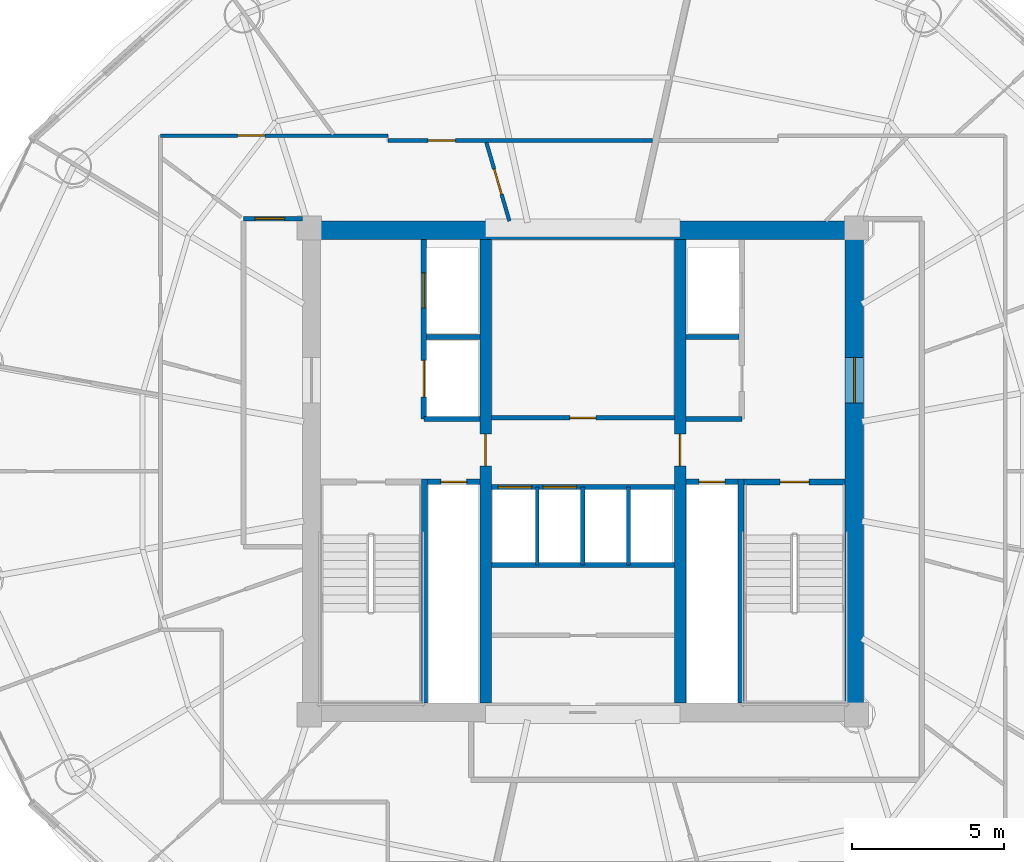
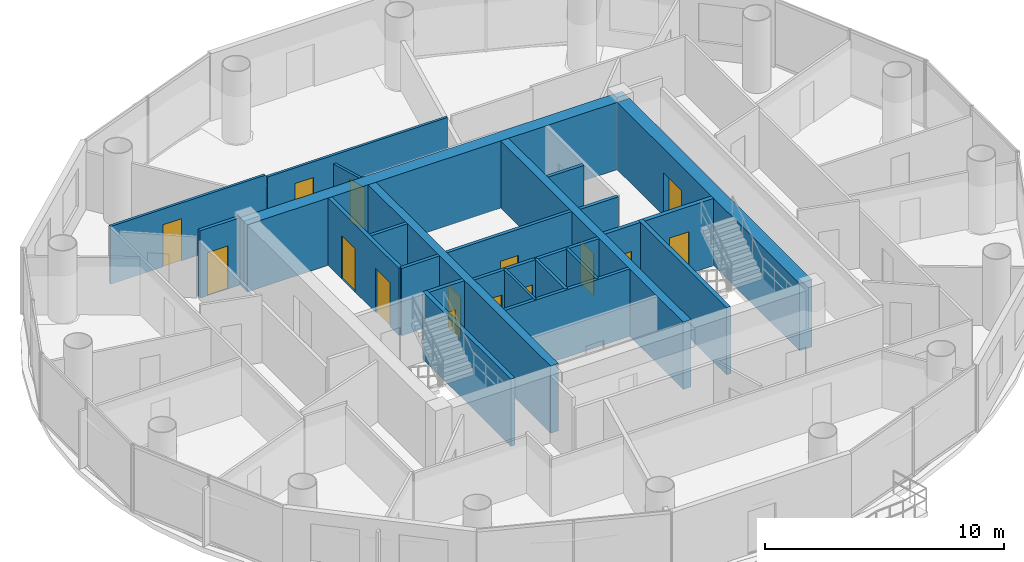
# One storey, part 21 of 26: 24 walls, 15 doors, 15 openings.
"""IFC4 building model written with IfcOpenShell, lengths in metres."""

from ifc_helpers import new_model, si_unit, direction, frame, frame_2d, origin, place, context, subcontext, project, spatial, rectangle, extrude, source, transform, mapped, material, layer, layer_set, type_object, element, fill, save


model = new_model("IFC4")

# Units and contexts
model_context = context("Model", 3, precision=1e-05, world=origin(), true_north=direction((-0.2419218956, 0.970295726276)))
body_context = subcontext(model_context, "Body", "Model", "MODEL_VIEW")
ifc_project = project(units=[si_unit("LENGTHUNIT", "METRE"), si_unit("AREAUNIT", "SQUARE_METRE"), si_unit("VOLUMEUNIT", "CUBIC_METRE"), si_unit("PLANEANGLEUNIT", "RADIAN"), si_unit("MASSUNIT", "GRAM", prefix="KILO")], contexts=[model_context])

# Site, building, storey
site_placement = place(None, origin())
site = spatial("IfcSite", under=ifc_project, at=site_placement, CompositionType="ELEMENT")
building_placement = place(site_placement, origin())
building = spatial("IfcBuilding", under=site, at=building_placement, Name="Cobrevalo Terracotta Tower", CompositionType="ELEMENT")
storey_placement = place(building_placement, frame((0.0, 0.0, 228.199951171875)))
storey = spatial("IfcBuildingStorey", under=building, at=storey_placement, Name="L60", CompositionType="ELEMENT", Elevation=228.199951171875)

# Wall
ifc_material_1 = material(Name="Concrete C55", Category="concrete")
ifc_layer_1 = layer(ifc_material_1, 0.60009765625)
ifc_layer_set_1 = layer_set([ifc_layer_1], Name="Concrete C55")
wall_type_1 = type_object("IfcWallType", Name="Core shear wall 600 mm Concrete C55", PredefinedType="SHEAR", material=ifc_layer_set_1)
wall_1_placement = place(storey_placement, frame((28.77490234375, 34.72509765625, 0.0), z_axis=(0.0, 0.0, 1.0), x_axis=(1.0, 0.0, 0.0)))
element("IfcWall", 1, at=wall_1_placement, inside=storey, type_object=wall_type_1, Name="L60 north core shear wall", PredefinedType="SHEAR", context=body_context, shape_type="SweptSolid", body=[
    extrude(rectangle(XDim=18.4501953125, YDim=0.60009765625, at=frame_2d((9.22509765625, 0.0))), origin(), (0.0, 0.0, 1.0), 3.43505859375),
])

# Wall, opening, door
wall_2_placement = place(storey_placement, frame((46.925048828125, 19.175048828125, 0.0), z_axis=(0.0, 0.0, 1.0), x_axis=(0.0, 1.0, 0.0)))
wall_2 = element("IfcWall", 2, at=wall_2_placement, inside=storey, type_object=wall_type_1, Name="L60 east core shear wall", PredefinedType="SHEAR", context=body_context, shape_type="SweptSolid", body=[
    extrude(rectangle(XDim=15.25, YDim=0.60009765625, at=frame_2d((7.625, 0.0))), origin(), (0.0, 0.0, 1.0), 3.43505859375),
])
opening_1_placement = place(wall_2_placement, frame((9.875, 0.0, 0.0)))
opening_1 = element("IfcOpeningElement", 3, at=opening_1_placement, cuts=wall_2, Name="Opening ID-14", PredefinedType="OPENING", context=body_context, shape_type="SweptSolid", body=[
    extrude(rectangle(XDim=1.5, YDim=2.199951171875, at=frame_2d((0.75, 1.10009765625))), frame((0.0, 0.31005859375, 0.0), z_axis=(0.0, -1.0, 0.0), x_axis=(1.0, 0.0, 0.0)), (0.0, 0.0, 1.0), 0.6201171875),
])
ifc_material_2 = material(Name="Galvanized fire-rated steel", Category="steel")
door_type_1 = type_object("IfcDoorType", Name="Core cross-lobby double fire door 1500x2200 EI 90", OperationType="NOTDEFINED", PredefinedType="DOOR", material=ifc_material_2)
shared_shape_1 = source(origin(), body_context, "Body", "SweptSolid", [
    extrude(rectangle(XDim=1.5, YDim=2.199951171875, at=frame_2d((0.75, 1.10009765625))), frame((0.0, 0.02490234375, 0.0), z_axis=(0.0, -1.0, 0.0), x_axis=(1.0, 0.0, 0.0)), (0.0, 0.0, 1.0), 0.050048828125),
])
door_1_placement = place(opening_1_placement, frame((1.5, 0.0, 0.0), z_axis=(0.0, 0.0, 1.0), x_axis=(-1.0, 0.0, 0.0)))
door_1 = element("IfcDoor", 4, at=door_1_placement, inside=storey, type_object=door_type_1, Name="L60 east firefighting lobby entrance door", OperationType="DOUBLE_DOOR_SINGLE_SWING", OverallHeight=2.199951171875, OverallWidth=1.5, PredefinedType="DOOR", context=body_context, shape_type="MappedRepresentation", body=[
    mapped(shared_shape_1, transform((0.0, 0.0, 0.0), scale=1.0)),
])
fill(opening_1, door_1)

# Walls
ifc_material_3 = material(Name="Gypsum board on steel stud", Category="steel")
ifc_layer_2 = layer(ifc_material_3, 0.159912109375)
ifc_layer_set_2 = layer_set([ifc_layer_2], Name="Gypsum board on steel stud")
wall_type_2 = type_object("IfcWallType", Name="Fire-rated corridor acoustic partition wall 160 mm", PredefinedType="PARTITIONING", material=ifc_layer_set_2)
wall_3_placement = place(storey_placement, frame((32.860107421875, 31.219970703125, 0.0), z_axis=(0.0, 0.0, 1.0), x_axis=(1.0, 0.0, 0.0)))
element("IfcWall", 5, at=wall_3_placement, inside=storey, type_object=wall_type_2, Name="L60 interior partition IW-L60-FF1-M", PredefinedType="PARTITIONING", context=body_context, shape_type="SweptSolid", body=[
    extrude(rectangle(XDim=1.75, YDim=0.159912109375, at=frame_2d((0.875, 0.0))), origin(), (0.0, 0.0, 1.0), 3.43505859375),
])
wall_4_placement = place(storey_placement, frame((32.77001953125, 28.52001953125, 0.0), z_axis=(0.0, 0.0, 1.0), x_axis=(1.0, 0.0, 0.0)))
element("IfcWall", 6, at=wall_4_placement, inside=storey, type_object=wall_type_2, Name="L60 interior partition IW-L60-FF1-S", PredefinedType="PARTITIONING", context=body_context, shape_type="SweptSolid", body=[
    extrude(rectangle(XDim=1.840087890625, YDim=0.159912109375, at=frame_2d((0.919921875, 0.0))), origin(), (0.0, 0.0, 1.0), 3.43505859375),
])
wall_5_placement = place(storey_placement, frame((41.389892578125, 31.219970703125, 0.0), z_axis=(0.0, 0.0, 1.0), x_axis=(1.0, 0.0, 0.0)))
element("IfcWall", 7, at=wall_5_placement, inside=storey, type_object=wall_type_2, Name="L60 interior partition IW-L60-FF2-M", PredefinedType="PARTITIONING", context=body_context, shape_type="SweptSolid", body=[
    extrude(rectangle(XDim=1.75, YDim=0.159912109375, at=frame_2d((0.875, 0.0))), origin(), (0.0, 0.0, 1.0), 3.43505859375),
])
wall_6_placement = place(storey_placement, frame((41.389892578125, 28.52001953125, 0.0), z_axis=(0.0, 0.0, 1.0), x_axis=(1.0, 0.0, 0.0)))
element("IfcWall", 8, at=wall_6_placement, inside=storey, type_object=wall_type_2, Name="L60 interior partition IW-L60-FF2-S", PredefinedType="PARTITIONING", context=body_context, shape_type="SweptSolid", body=[
    extrude(rectangle(XDim=1.840087890625, YDim=0.159912109375, at=frame_2d((0.919921875, 0.0))), origin(), (0.0, 0.0, 1.0), 3.43505859375),
])

# Wall, opening, door
wall_7_placement = place(storey_placement, frame((34.989990234375, 28.56005859375, 0.0), z_axis=(0.0, 0.0, 1.0), x_axis=(1.0, 0.0, 0.0)))
wall_7 = element("IfcWall", 9, at=wall_7_placement, inside=storey, type_object=wall_type_2, Name="L60 interior partition IW-L60-LB-S", PredefinedType="PARTITIONING", context=body_context, shape_type="SweptSolid", body=[
    extrude(rectangle(XDim=6.02001953125, YDim=0.159912109375, at=frame_2d((3.010009765625, 0.0))), origin(), (0.0, 0.0, 1.0), 3.43505859375),
])
opening_2_placement = place(wall_7_placement, frame((2.5849609375, 0.0, 0.0)))
opening_2 = element("IfcOpeningElement", 10, at=opening_2_placement, cuts=wall_7, Name="Opening ID-22", PredefinedType="OPENING", context=body_context, shape_type="SweptSolid", body=[
    extrude(rectangle(XDim=0.85009765625, YDim=2.10009765625, at=frame_2d((0.425048828125, 1.050048828125))), frame((0.0, 0.08984375, 0.0), z_axis=(0.0, -1.0, 0.0), x_axis=(1.0, 0.0, 0.0)), (0.0, 0.0, 1.0), 0.179931640625),
])
ifc_material_4 = material(Name="Powder-coated steel", Category="steel")
door_type_2 = type_object("IfcDoorType", Name="Riser shaft & meter closet fire access door 850x2100 EI 60", OperationType="NOTDEFINED", PredefinedType="DOOR", material=ifc_material_4)
shared_shape_2 = source(origin(), body_context, "Body", "SweptSolid", [
    extrude(rectangle(XDim=0.85009765625, YDim=2.10009765625, at=frame_2d((0.425048828125, 1.050048828125))), frame((0.0, 0.02490234375, 0.0), z_axis=(0.0, -1.0, 0.0), x_axis=(1.0, 0.0, 0.0)), (0.0, 0.0, 1.0), 0.050048828125),
])
door_2_placement = place(opening_2_placement, origin())
door_2 = element("IfcDoor", 11, at=door_2_placement, inside=storey, type_object=door_type_2, Name="L60 core service door Floor Electrical Switchroom", OperationType="SINGLE_SWING_LEFT", OverallHeight=2.10009765625, OverallWidth=0.85009765625, PredefinedType="DOOR", context=body_context, shape_type="MappedRepresentation", body=[
    mapped(shared_shape_2, transform((0.0, 0.0, 0.0), scale=1.0)),
])
fill(opening_2, door_2)

# Wall, openings, doors
wall_8_placement = place(storey_placement, frame((34.989990234375, 26.280029296875, 0.0), z_axis=(0.0, 0.0, 1.0), x_axis=(1.0, 0.0, 0.0)))
wall_8 = element("IfcWall", 12, at=wall_8_placement, inside=storey, type_object=wall_type_2, Name="L60 interior partition IW-L60-MB-N", PredefinedType="PARTITIONING", context=body_context, shape_type="SweptSolid", body=[
    extrude(rectangle(XDim=6.02001953125, YDim=0.159912109375, at=frame_2d((3.010009765625, 0.0))), origin(), (0.0, 0.0, 1.0), 3.43505859375),
])
opening_3_placement = place(wall_8_placement, frame((0.22509765625, 0.0, 0.0)))
opening_3 = element("IfcOpeningElement", 13, at=opening_3_placement, cuts=wall_8, Name="Opening LD-01", PredefinedType="OPENING", context=body_context, shape_type="SweptSolid", body=[
    extrude(rectangle(XDim=1.10009765625, YDim=2.199951171875, at=frame_2d((0.550048828125, 1.10009765625))), frame((0.0, 0.08984375, 0.0), z_axis=(0.0, -1.0, 0.0), x_axis=(1.0, 0.0, 0.0)), (0.0, 0.0, 1.0), 0.179931640625),
])
opening_4_placement = place(wall_8_placement, frame((1.705078125, 0.0, 0.0)))
opening_4 = element("IfcOpeningElement", 14, at=opening_4_placement, cuts=wall_8, Name="Opening LD-01", PredefinedType="OPENING", context=body_context, shape_type="SweptSolid", body=[
    extrude(rectangle(XDim=1.10009765625, YDim=2.199951171875, at=frame_2d((0.550048828125, 1.10009765625))), frame((0.0, 0.08984375, 0.0), z_axis=(0.0, -1.0, 0.0), x_axis=(1.0, 0.0, 0.0)), (0.0, 0.0, 1.0), 0.179931640625),
])
ifc_material_5 = material(Name="Brushed stainless steel", Category="steel")
door_type_3 = type_object("IfcDoorType", Name="Passenger lift landing bi-parting sliding door 1100x2200 EI 90", OperationType="DOUBLE_DOOR_SLIDING", PredefinedType="DOOR", material=ifc_material_5)
shared_shape_3 = source(origin(), body_context, "Body", "SweptSolid", [
    extrude(rectangle(XDim=1.10009765625, YDim=2.199951171875, at=frame_2d((0.550048828125, 1.10009765625))), frame((0.0, 0.02490234375, 0.0), z_axis=(0.0, -1.0, 0.0), x_axis=(1.0, 0.0, 0.0)), (0.0, 0.0, 1.0), 0.050048828125),
])
door_3_placement = place(opening_3_placement, origin())
door_3 = element("IfcDoor", 15, at=door_3_placement, inside=storey, type_object=door_type_3, Name="L60 lift landing door PL-M1", OperationType="DOUBLE_DOOR_SLIDING", OverallHeight=2.199951171875, OverallWidth=1.10009765625, PredefinedType="DOOR", context=body_context, shape_type="MappedRepresentation", body=[
    mapped(shared_shape_3, transform((0.0, 0.0, 0.0), scale=1.0)),
])
fill(opening_3, door_3)
door_4_placement = place(opening_4_placement, origin())
door_4 = element("IfcDoor", 16, at=door_4_placement, inside=storey, type_object=door_type_3, Name="L60 lift landing door PL-M2", OperationType="DOUBLE_DOOR_SLIDING", OverallHeight=2.199951171875, OverallWidth=1.10009765625, PredefinedType="DOOR", context=body_context, shape_type="MappedRepresentation", body=[
    mapped(shared_shape_3, transform((0.0, 0.0, 0.0), scale=1.0)),
])
fill(opening_4, door_4)

# Wall
wall_9_placement = place(storey_placement, frame((34.989990234375, 23.719970703125, 0.0), z_axis=(0.0, 0.0, 1.0), x_axis=(1.0, 0.0, 0.0)))
element("IfcWall", 17, at=wall_9_placement, inside=storey, type_object=wall_type_2, Name="L60 interior partition IW-L60-MB-S", PredefinedType="PARTITIONING", context=body_context, shape_type="SweptSolid", body=[
    extrude(rectangle(XDim=6.02001953125, YDim=0.159912109375, at=frame_2d((3.010009765625, 0.0))), origin(), (0.0, 0.0, 1.0), 3.43505859375),
])

# Wall, opening, door
wall_10_placement = place(storey_placement, frame((26.844970703125, 35.10498046875, 0.0), z_axis=(0.0, 0.0, 1.0), x_axis=(1.0, 0.0, 0.0)))
wall_10 = element("IfcWall", 18, at=wall_10_placement, inside=storey, type_object=wall_type_2, Name="L60 interior partition IW-L60-COR-WN-CAP", PredefinedType="PARTITIONING", context=body_context, shape_type="SweptSolid", body=[
    extrude(rectangle(XDim=1.929931640625, YDim=0.159912109375, at=frame_2d((0.96484375, 0.0))), origin(), (0.0, 0.0, 1.0), 3.43505859375),
])
opening_5_placement = place(wall_10_placement, frame((0.3701171875, 0.0, 0.0)))
opening_5 = element("IfcOpeningElement", 19, at=opening_5_placement, cuts=wall_10, Name="Opening ID-05", PredefinedType="OPENING", context=body_context, shape_type="SweptSolid", body=[
    extrude(rectangle(XDim=0.97998046875, YDim=2.199951171875, at=frame_2d((0.489990234375, 1.10009765625))), frame((0.0, 0.08984375, 0.0), z_axis=(0.0, -1.0, 0.0), x_axis=(1.0, 0.0, 0.0)), (0.0, 0.0, 1.0), 0.179931640625),
])
ifc_material_6 = material(Name="Solid hardwood timber", Category="wood")
door_type_4 = type_object("IfcDoorType", Name="Residence entrance fire-rated acoustic timber door 980x2200 EI 60", OperationType="NOTDEFINED", PredefinedType="DOOR", material=ifc_material_6)
shared_shape_4 = source(origin(), body_context, "Body", "SweptSolid", [
    extrude(rectangle(XDim=0.97998046875, YDim=2.199951171875, at=frame_2d((0.489990234375, 1.10009765625))), frame((0.0, 0.02490234375, 0.0), z_axis=(0.0, -1.0, 0.0), x_axis=(1.0, 0.0, 0.0)), (0.0, 0.0, 1.0), 0.050048828125),
])
door_5_placement = place(opening_5_placement, origin())
door_5 = element("IfcDoor", 20, at=door_5_placement, inside=storey, type_object=door_type_4, Name="Flat L60A fire-rated apartment entrance door", OperationType="SINGLE_SWING_RIGHT", OverallHeight=2.199951171875, OverallWidth=0.97998046875, PredefinedType="DOOR", context=body_context, shape_type="MappedRepresentation", body=[
    mapped(shared_shape_4, transform((0.0, 0.0, 0.0), scale=1.0)),
])
fill(opening_5, door_5)

ifc_layer_3 = layer(ifc_material_3, 0.179931640625)
ifc_layer_set_3 = layer_set([ifc_layer_3], Name="Gypsum board on steel stud")
wall_type_3 = type_object("IfcWallType", Name="Fire-rated shaft & lobby acoustic partition wall 180 mm", PredefinedType="PARTITIONING", material=ifc_layer_set_3)
wall_11_placement = place(storey_placement, frame((32.89990234375, 26.449951171875, 0.0), z_axis=(0.0, 0.0, 1.0), x_axis=(1.0, 0.0, 0.0)))
wall_11 = element("IfcWall", 21, at=wall_11_placement, inside=storey, type_object=wall_type_3, Name="L60 interior partition IW-L60-RSW-N", PredefinedType="PARTITIONING", context=body_context, shape_type="SweptSolid", body=[
    extrude(rectangle(XDim=1.710205078125, YDim=0.179931640625, at=frame_2d((0.85498046875, 0.0))), origin(), (0.0, 0.0, 1.0), 3.43505859375),
])
opening_6_placement = place(wall_11_placement, frame((0.429931640625, 0.0, 0.0)))
opening_6 = element("IfcOpeningElement", 22, at=opening_6_placement, cuts=wall_11, Name="Opening ID-22", PredefinedType="OPENING", context=body_context, shape_type="SweptSolid", body=[
    extrude(rectangle(XDim=0.85009765625, YDim=2.10009765625, at=frame_2d((0.425048828125, 1.050048828125))), frame((0.0, 0.10009765625, 0.0), z_axis=(0.0, -1.0, 0.0), x_axis=(1.0, 0.0, 0.0)), (0.0, 0.0, 1.0), 0.199951171875),
])
door_6_placement = place(opening_6_placement, origin())
door_6 = element("IfcDoor", 23, at=door_6_placement, inside=storey, type_object=door_type_2, Name="L60 riser access door RSW", OperationType="SINGLE_SWING_LEFT", OverallHeight=2.10009765625, OverallWidth=0.85009765625, PredefinedType="DOOR", context=body_context, shape_type="MappedRepresentation", body=[
    mapped(shared_shape_2, transform((0.0, 0.0, 0.0), scale=1.0)),
])
fill(opening_6, door_6)

wall_12_placement = place(storey_placement, frame((41.389892578125, 26.449951171875, 0.0), z_axis=(0.0, 0.0, 1.0), x_axis=(1.0, 0.0, 0.0)))
wall_12 = element("IfcWall", 24, at=wall_12_placement, inside=storey, type_object=wall_type_3, Name="L60 interior partition IW-L60-RSE-N", PredefinedType="PARTITIONING", context=body_context, shape_type="SweptSolid", body=[
    extrude(rectangle(XDim=1.710205078125, YDim=0.179931640625, at=frame_2d((0.85498046875, 0.0))), origin(), (0.0, 0.0, 1.0), 3.43505859375),
])
opening_7_placement = place(wall_12_placement, frame((0.429931640625, 0.0, 0.0)))
opening_7 = element("IfcOpeningElement", 25, at=opening_7_placement, cuts=wall_12, Name="Opening ID-22", PredefinedType="OPENING", context=body_context, shape_type="SweptSolid", body=[
    extrude(rectangle(XDim=0.85009765625, YDim=2.10009765625, at=frame_2d((0.425048828125, 1.050048828125))), frame((0.0, 0.10009765625, 0.0), z_axis=(0.0, -1.0, 0.0), x_axis=(1.0, 0.0, 0.0)), (0.0, 0.0, 1.0), 0.199951171875),
])
door_7_placement = place(opening_7_placement, origin())
door_7 = element("IfcDoor", 26, at=door_7_placement, inside=storey, type_object=door_type_2, Name="L60 riser access door RSE", OperationType="SINGLE_SWING_RIGHT", OverallHeight=2.10009765625, OverallWidth=0.85009765625, PredefinedType="DOOR", context=body_context, shape_type="MappedRepresentation", body=[
    mapped(shared_shape_2, transform((0.0, 0.0, 0.0), scale=1.0)),
])
fill(opening_7, door_7)

# Wall, openings, doors
wall_13_placement = place(storey_placement, frame((32.77001953125, 28.52001953125, 0.0), z_axis=(0.0, 0.0, 1.0), x_axis=(0.0, 1.0, 0.0)))
wall_13 = element("IfcWall", 27, at=wall_13_placement, inside=storey, type_object=wall_type_3, Name="L60 interior partition IW-L60-FF1-W", PredefinedType="PARTITIONING", context=body_context, shape_type="SweptSolid", body=[
    extrude(rectangle(XDim=5.905029296875, YDim=0.179931640625, at=frame_2d((2.95263671875, 0.0))), origin(), (0.0, 0.0, 1.0), 3.43505859375),
])
opening_8_placement = place(wall_13_placement, frame((3.655029296875, 0.0, 0.0)))
opening_8 = element("IfcOpeningElement", 28, at=opening_8_placement, cuts=wall_13, Name="Opening LD-02", PredefinedType="OPENING", context=body_context, shape_type="SweptSolid", body=[
    extrude(rectangle(XDim=1.14990234375, YDim=2.199951171875, at=frame_2d((0.574951171875, 1.10009765625))), frame((0.0, 0.10009765625, 0.0), z_axis=(0.0, -1.0, 0.0), x_axis=(1.0, 0.0, 0.0)), (0.0, 0.0, 1.0), 0.199951171875),
])
opening_9_placement = place(wall_13_placement, frame((0.72998046875, 0.0, 0.0)))
opening_9 = element("IfcOpeningElement", 29, at=opening_9_placement, cuts=wall_13, Name="Opening LD-03", PredefinedType="OPENING", context=body_context, shape_type="SweptSolid", body=[
    extrude(rectangle(XDim=1.199951171875, YDim=2.25, at=frame_2d((0.60009765625, 1.125))), frame((0.0, 0.10009765625, 0.0), z_axis=(0.0, -1.0, 0.0), x_axis=(1.0, 0.0, 0.0)), (0.0, 0.0, 1.0), 0.199951171875),
])
door_type_5 = type_object("IfcDoorType", Name="Firefighting lift landing bi-parting sliding door 1150x2200 EI 120", OperationType="DOUBLE_DOOR_SLIDING", PredefinedType="DOOR", material=ifc_material_5)
shared_shape_5 = source(origin(), body_context, "Body", "SweptSolid", [
    extrude(rectangle(XDim=1.14990234375, YDim=2.199951171875, at=frame_2d((0.574951171875, 1.10009765625))), frame((0.0, 0.02490234375, 0.0), z_axis=(0.0, -1.0, 0.0), x_axis=(1.0, 0.0, 0.0)), (0.0, 0.0, 1.0), 0.050048828125),
])
door_8_placement = place(opening_8_placement, origin())
door_8 = element("IfcDoor", 30, at=door_8_placement, inside=storey, type_object=door_type_5, Name="L60 lift landing door FF-1", OperationType="DOUBLE_DOOR_SLIDING", OverallHeight=2.199951171875, OverallWidth=1.14990234375, PredefinedType="DOOR", context=body_context, shape_type="MappedRepresentation", body=[
    mapped(shared_shape_5, transform((0.0, 0.0, 0.0), scale=1.0)),
])
fill(opening_8, door_8)
door_type_6 = type_object("IfcDoorType", Name="Service lift landing bi-parting sliding door 1200x2250 EI 120", OperationType="DOUBLE_DOOR_SLIDING", PredefinedType="DOOR", material=ifc_material_5)
shared_shape_6 = source(origin(), body_context, "Body", "SweptSolid", [
    extrude(rectangle(XDim=1.199951171875, YDim=2.25, at=frame_2d((0.60009765625, 1.125))), frame((0.0, 0.02490234375, 0.0), z_axis=(0.0, -1.0, 0.0), x_axis=(1.0, 0.0, 0.0)), (0.0, 0.0, 1.0), 0.050048828125),
])
door_9_placement = place(opening_9_placement, origin())
door_9 = element("IfcDoor", 31, at=door_9_placement, inside=storey, type_object=door_type_6, Name="L60 lift landing door SV-1", OperationType="DOUBLE_DOOR_SLIDING", OverallHeight=2.25, OverallWidth=1.199951171875, PredefinedType="DOOR", context=body_context, shape_type="MappedRepresentation", body=[
    mapped(shared_shape_6, transform((0.0, 0.0, 0.0), scale=1.0)),
])
fill(opening_9, door_9)

# Walls
ifc_material_7 = material(Name="Autoclaved aerated concrete block", Category="concrete")
ifc_layer_4 = layer(ifc_material_7, 0.1201171875)
ifc_layer_set_4 = layer_set([ifc_layer_4], Name="Autoclaved aerated concrete block")
wall_type_4 = type_object("IfcWallType", Name="Fire-rated wet-room & core service partition 120 mm", PredefinedType="PARTITIONING", material=ifc_layer_set_4)
for number, where, z_axis, x_axis, name in (
    (32, (36.5, 23.719970703125, 0.0), (0.0, 0.0, 1.0), (0.0, 1.0, 0.0), "L60 interior partition IW-L60-MB-D1"),
    (33, (39.5, 23.719970703125, 0.0), (0.0, 0.0, 1.0), (0.0, 1.0, 0.0), "L60 interior partition IW-L60-MB-D3"),
):
    element("IfcWall", number, at=place(storey_placement, frame(where, z_axis=z_axis, x_axis=x_axis)), inside=storey, type_object=wall_type_4, Name=name, PredefinedType="PARTITIONING", context=body_context, shape_type="SweptSolid", body=[
        extrude(rectangle(XDim=2.56005859375, YDim=0.1201171875, at=frame_2d((1.280029296875, 0.0))), origin(), (0.0, 0.0, 1.0), 3.43505859375),
    ])

# Wall, opening, door
ifc_material_8 = material(Name="Concrete C50", Category="concrete")
ifc_layer_5 = layer(ifc_material_8, 0.3798828125)
ifc_layer_set_5 = layer_set([ifc_layer_5], Name="Concrete C50")
wall_type_5 = type_object("IfcWallType", Name="Internal core shear web wall 380 mm Concrete C50", PredefinedType="SHEAR", material=ifc_layer_set_5)
wall_14_placement = place(storey_placement, frame((34.800048828125, 19.175048828125, 0.0), z_axis=(0.0, 0.0, 1.0), x_axis=(0.0, 1.0, 0.0)))
wall_14 = element("IfcWall", 34, at=wall_14_placement, inside=storey, type_object=wall_type_5, Name="L60 internal core shear wall WEB-W", PredefinedType="SHEAR", context=body_context, shape_type="SweptSolid", body=[
    extrude(rectangle(XDim=15.25, YDim=0.3798828125, at=frame_2d((7.625, 0.0))), origin(), (0.0, 0.0, 1.0), 3.43505859375),
])
opening_10_placement = place(wall_14_placement, frame((7.800048828125, 0.0, 0.0)))
opening_10 = element("IfcOpeningElement", 35, at=opening_10_placement, cuts=wall_14, Name="Opening ID-11", PredefinedType="OPENING", context=body_context, shape_type="SweptSolid", body=[
    extrude(rectangle(XDim=1.050048828125, YDim=2.14990234375, at=frame_2d((0.52490234375, 1.074951171875))), frame((0.0, 0.199951171875, 0.0), z_axis=(0.0, -1.0, 0.0), x_axis=(1.0, 0.0, 0.0)), (0.0, 0.0, 1.0), 0.39990234375),
])
door_type_7 = type_object("IfcDoorType", Name="Core concourse cross fire door 1050x2150 EI 90", OperationType="NOTDEFINED", PredefinedType="DOOR", material=ifc_material_2)
shared_shape_7 = source(origin(), body_context, "Body", "SweptSolid", [
    extrude(rectangle(XDim=1.050048828125, YDim=2.14990234375, at=frame_2d((0.52490234375, 1.074951171875))), frame((0.0, 0.02490234375, 0.0), z_axis=(0.0, -1.0, 0.0), x_axis=(1.0, 0.0, 0.0)), (0.0, 0.0, 1.0), 0.050048828125),
])
door_10_placement = place(opening_10_placement, origin())
door_10 = element("IfcDoor", 36, at=door_10_placement, inside=storey, type_object=door_type_7, Name="L60 west core concourse cross door", OperationType="SINGLE_SWING_LEFT", OverallHeight=2.14990234375, OverallWidth=1.050048828125, PredefinedType="DOOR", context=body_context, shape_type="MappedRepresentation", body=[
    mapped(shared_shape_7, transform((0.0, 0.0, 0.0), scale=1.0)),
])
fill(opening_10, door_10)

wall_15_placement = place(storey_placement, frame((41.199951171875, 19.175048828125, 0.0), z_axis=(0.0, 0.0, 1.0), x_axis=(0.0, 1.0, 0.0)))
wall_15 = element("IfcWall", 37, at=wall_15_placement, inside=storey, type_object=wall_type_5, Name="L60 internal core shear wall WEB-E", PredefinedType="SHEAR", context=body_context, shape_type="SweptSolid", body=[
    extrude(rectangle(XDim=15.25, YDim=0.3798828125, at=frame_2d((7.625, 0.0))), origin(), (0.0, 0.0, 1.0), 3.43505859375),
])
opening_11_placement = place(wall_15_placement, frame((7.800048828125, 0.0, 0.0)))
opening_11 = element("IfcOpeningElement", 38, at=opening_11_placement, cuts=wall_15, Name="Opening ID-11", PredefinedType="OPENING", context=body_context, shape_type="SweptSolid", body=[
    extrude(rectangle(XDim=1.050048828125, YDim=2.14990234375, at=frame_2d((0.52490234375, 1.074951171875))), frame((0.0, 0.199951171875, 0.0), z_axis=(0.0, -1.0, 0.0), x_axis=(1.0, 0.0, 0.0)), (0.0, 0.0, 1.0), 0.39990234375),
])
door_11_placement = place(opening_11_placement, frame((1.050048828125, 0.0, 0.0), z_axis=(0.0, 0.0, 1.0), x_axis=(-1.0, 0.0, 0.0)))
door_11 = element("IfcDoor", 39, at=door_11_placement, inside=storey, type_object=door_type_7, Name="L60 east core concourse cross door", OperationType="SINGLE_SWING_RIGHT", OverallHeight=2.14990234375, OverallWidth=1.050048828125, PredefinedType="DOOR", context=body_context, shape_type="MappedRepresentation", body=[
    mapped(shared_shape_7, transform((0.0, 0.0, 0.0), scale=1.0)),
])
fill(opening_11, door_11)

# Wall
ifc_layer_6 = layer(ifc_material_7, 0.139892578125)
ifc_layer_set_6 = layer_set([ifc_layer_6], Name="Autoclaved aerated concrete block")
wall_type_6 = type_object("IfcWallType", Name="Moisture-resistant wet-room & core service partition 140 mm", PredefinedType="PARTITIONING", material=ifc_layer_set_6)
wall_16_placement = place(storey_placement, frame((38.0, 23.719970703125, 0.0), z_axis=(0.0, 0.0, 1.0), x_axis=(0.0, 1.0, 0.0)))
element("IfcWall", 40, at=wall_16_placement, inside=storey, type_object=wall_type_6, Name="L60 interior partition IW-L60-MB-D2", PredefinedType="PARTITIONING", context=body_context, shape_type="SweptSolid", body=[
    extrude(rectangle(XDim=2.56005859375, YDim=0.139892578125, at=frame_2d((1.280029296875, 0.0))), origin(), (0.0, 0.0, 1.0), 3.43505859375),
])

# Wall, opening, door
ifc_layer_7 = layer(ifc_material_3, 0.1201171875)
ifc_layer_set_7 = layer_set([ifc_layer_7], Name="Gypsum board on steel stud")
wall_type_7 = type_object("IfcWallType", Name="Residential internal acoustic stud partition 120 mm", PredefinedType="PARTITIONING", material=ifc_layer_set_7)
wall_17_placement = place(storey_placement, frame((24.114990234375, 37.8349609375, 0.0), z_axis=(0.0, 0.0, 1.0), x_axis=(1.0, 0.0, 0.0)))
wall_17 = element("IfcWall", 41, at=wall_17_placement, inside=storey, type_object=wall_type_7, Name="L60 interior partition IW-L60-U1-RING6_0", PredefinedType="PARTITIONING", context=body_context, shape_type="SweptSolid", body=[
    extrude(rectangle(XDim=7.469970703125, YDim=0.1201171875, at=frame_2d((3.73486328125, 0.0))), origin(), (0.0, 0.0, 1.0), 2.950927734375),
])
opening_12_placement = place(wall_17_placement, frame((2.53271484375, 0.0, 0.0)))
opening_12 = element("IfcOpeningElement", 42, at=opening_12_placement, cuts=wall_17, Name="Opening ID-12", PredefinedType="OPENING", context=body_context, shape_type="SweptSolid", body=[
    extrude(rectangle(XDim=0.89990234375, YDim=2.14990234375, at=frame_2d((0.449951171875, 1.074951171875))), frame((0.0, 0.070068359375, 0.0), z_axis=(0.0, -1.0, 0.0), x_axis=(1.0, 0.0, 0.0)), (0.0, 0.0, 1.0), 0.14013671875),
])
ifc_material_9 = material(Name="Engineered timber", Category="wood")
door_type_8 = type_object("IfcDoorType", Name="Internal residence & suite timber door 900x2150", OperationType="NOTDEFINED", PredefinedType="DOOR", material=ifc_material_9)
shared_shape_8 = source(origin(), body_context, "Body", "SweptSolid", [
    extrude(rectangle(XDim=0.89990234375, YDim=2.14990234375, at=frame_2d((0.449951171875, 1.074951171875))), frame((0.0, 0.02490234375, 0.0), z_axis=(0.0, -1.0, 0.0), x_axis=(1.0, 0.0, 0.0)), (0.0, 0.0, 1.0), 0.050048828125),
])
door_12_placement = place(opening_12_placement, origin())
door_12 = element("IfcDoor", 43, at=door_12_placement, inside=storey, type_object=door_type_8, Name="Flat L60A Master Bedroom internal door", OperationType="SINGLE_SWING_LEFT", OverallHeight=2.14990234375, OverallWidth=0.89990234375, PredefinedType="DOOR", context=body_context, shape_type="MappedRepresentation", body=[
    mapped(shared_shape_8, transform((0.0, 0.0, 0.0), scale=1.0)),
])
fill(opening_12, door_12)

wall_18_placement = place(storey_placement, frame((31.5849609375, 37.675048828125, 0.0), z_axis=(0.0, 0.0, 1.0), x_axis=(1.0, 0.0, 0.0)))
wall_18 = element("IfcWall", 44, at=wall_18_placement, inside=storey, type_object=wall_type_7, Name="L60 interior partition IW-L60-U1-RING8_0", PredefinedType="PARTITIONING", context=body_context, shape_type="SweptSolid", body=[
    extrude(rectangle(XDim=8.706787109375, YDim=0.1201171875, at=frame_2d((4.353515625, 0.0))), origin(), (0.0, 0.0, 1.0), 2.950927734375),
])
opening_13_placement = place(wall_18_placement, frame((1.3271484375, 0.0, 0.0)))
opening_13 = element("IfcOpeningElement", 45, at=opening_13_placement, cuts=wall_18, Name="Opening ID-12", PredefinedType="OPENING", context=body_context, shape_type="SweptSolid", body=[
    extrude(rectangle(XDim=0.89990234375, YDim=2.14990234375, at=frame_2d((0.449951171875, 1.074951171875))), frame((0.0, 0.070068359375, 0.0), z_axis=(0.0, -1.0, 0.0), x_axis=(1.0, 0.0, 0.0)), (0.0, 0.0, 1.0), 0.14013671875),
])
door_13_placement = place(opening_13_placement, origin())
door_13 = element("IfcDoor", 46, at=door_13_placement, inside=storey, type_object=door_type_8, Name="Flat L60A Penthouse Living and Dining Room internal door", OperationType="SINGLE_SWING_RIGHT", OverallHeight=2.14990234375, OverallWidth=0.89990234375, PredefinedType="DOOR", context=body_context, shape_type="MappedRepresentation", body=[
    mapped(shared_shape_8, transform((0.0, 0.0, 0.0), scale=1.0)),
])
fill(opening_13, door_13)

wall_19_placement = place(storey_placement, frame((35.586181640625, 35.02685546875, 0.0), z_axis=(0.0, 0.0, 1.0), x_axis=(-0.281539118681, 0.959549751004, 0.0)))
wall_19 = element("IfcWall", 47, at=wall_19_placement, inside=storey, type_object=wall_type_7, Name="L60 interior partition IW-L60-U1-IRAD1", PredefinedType="PARTITIONING", context=body_context, shape_type="SweptSolid", body=[
    extrude(rectangle(XDim=2.69775390625, YDim=0.1201171875, at=frame_2d((1.348876953125, 0.0))), origin(), (0.0, 0.0, 1.0), 2.52001953125),
])
opening_14_placement = place(wall_19_placement, frame((0.9189453125, 0.0, 0.0)))
opening_14 = element("IfcOpeningElement", 48, at=opening_14_placement, cuts=wall_19, Name="Opening ID-19", PredefinedType="OPENING", context=body_context, shape_type="SweptSolid", body=[
    extrude(rectangle(XDim=0.860107421875, YDim=2.14990234375, at=frame_2d((0.43017578125, 1.074951171875))), frame((0.0, 0.070068359375, 0.0), z_axis=(0.0, -1.0, 0.0), x_axis=(1.0, 0.0, 0.0)), (0.0, 0.0, 1.0), 0.14013671875),
])
ifc_material_10 = material(Name="Moisture-sealed timber", Category="wood")
door_type_9 = type_object("IfcDoorType", Name="Suite bathroom internal timber door 860x2150", OperationType="NOTDEFINED", PredefinedType="DOOR", material=ifc_material_10)
shared_shape_9 = source(origin(), body_context, "Body", "SweptSolid", [
    extrude(rectangle(XDim=0.860107421875, YDim=2.14990234375, at=frame_2d((0.43017578125, 1.074951171875))), frame((0.0, 0.02490234375, 0.0), z_axis=(0.0, -1.0, 0.0), x_axis=(1.0, 0.0, 0.0)), (0.0, 0.0, 1.0), 0.050048828125),
])
door_14_placement = place(opening_14_placement, frame((0.860107421875, 0.0, 0.0), z_axis=(0.0, 0.0, 1.0), x_axis=(-1.0, 0.0, 0.0)))
door_14 = element("IfcDoor", 49, at=door_14_placement, inside=storey, type_object=door_type_9, Name="Flat L60A Primary Bathroom internal door", OperationType="SINGLE_SWING_LEFT", OverallHeight=2.14990234375, OverallWidth=0.860107421875, PredefinedType="DOOR", context=body_context, shape_type="MappedRepresentation", body=[
    mapped(shared_shape_9, transform((0.0, 0.0, 0.0), scale=1.0)),
])
fill(opening_14, door_14)

# Walls
ifc_layer_8 = layer(ifc_material_8, 0.199951171875)
ifc_layer_set_8 = layer_set([ifc_layer_8], Name="Concrete C50")
wall_type_8 = type_object("IfcWallType", Name="Structural core & podium stair-shaft RC wall 200 mm Concrete C50", PredefinedType="SOLIDWALL", material=ifc_layer_set_8)
for number, where, z_axis, x_axis, name in (
    (50, (32.794921875, 19.175048828125, 0.0), (0.0, 0.0, 1.0), (0.0, 1.0, 0.0), "L60 ST-1 east structural shaft wall"),
    (51, (43.205078125, 19.175048828125, 0.0), (0.0, 0.0, 1.0), (0.0, 1.0, 0.0), "L60 ST-2 west structural shaft wall"),
):
    element("IfcWall", number, at=place(storey_placement, frame(where, z_axis=z_axis, x_axis=x_axis)), inside=storey, type_object=wall_type_8, Name=name, PredefinedType="SOLIDWALL", context=body_context, shape_type="SweptSolid", body=[
        extrude(rectangle(XDim=7.375, YDim=0.199951171875, at=frame_2d((3.6875, 0.0))), origin(), (0.0, 0.0, 1.0), 3.43505859375),
    ])

# Wall, opening, door
wall_20_placement = place(storey_placement, frame((43.304931640625, 26.449951171875, 0.0), z_axis=(0.0, 0.0, 1.0), x_axis=(1.0, 0.0, 0.0)))
wall_20 = element("IfcWall", 52, at=wall_20_placement, inside=storey, type_object=wall_type_8, Name="L60 ST-2 north structural shaft wall", PredefinedType="SOLIDWALL", context=body_context, shape_type="SweptSolid", body=[
    extrude(rectangle(XDim=3.320068359375, YDim=0.199951171875, at=frame_2d((1.66015625, 0.0))), origin(), (0.0, 0.0, 1.0), 3.43505859375),
])
opening_15_placement = place(wall_20_placement, frame((1.18505859375, 0.0, 0.0)))
opening_15 = element("IfcOpeningElement", 53, at=opening_15_placement, cuts=wall_20, Name="Opening ID-04", PredefinedType="OPENING", context=body_context, shape_type="SweptSolid", body=[
    extrude(rectangle(XDim=0.949951171875, YDim=2.14990234375, at=frame_2d((0.47509765625, 1.074951171875))), frame((0.0, 0.10986328125, 0.0), z_axis=(0.0, -1.0, 0.0), x_axis=(1.0, 0.0, 0.0)), (0.0, 0.0, 1.0), 0.219970703125),
])
door_type_10 = type_object("IfcDoorType", Name="Stair & firefighting lobby fire door 950x2150 EI 90", OperationType="NOTDEFINED", PredefinedType="DOOR", material=ifc_material_2)
shared_shape_10 = source(origin(), body_context, "Body", "SweptSolid", [
    extrude(rectangle(XDim=0.949951171875, YDim=2.14990234375, at=frame_2d((0.47509765625, 1.074951171875))), frame((0.0, 0.02490234375, 0.0), z_axis=(0.0, -1.0, 0.0), x_axis=(1.0, 0.0, 0.0)), (0.0, 0.0, 1.0), 0.050048828125),
])
door_15_placement = place(opening_15_placement, frame((0.949951171875, 0.0, 0.0), z_axis=(0.0, 0.0, 1.0), x_axis=(-1.0, 0.0, 0.0)))
door_15 = element("IfcDoor", 54, at=door_15_placement, inside=storey, type_object=door_type_10, Name="L60 protected stair ST2 fire door", OperationType="SINGLE_SWING_RIGHT", OverallHeight=2.14990234375, OverallWidth=0.949951171875, PredefinedType="DOOR", context=body_context, shape_type="MappedRepresentation", body=[
    mapped(shared_shape_10, transform((0.0, 0.0, 0.0), scale=1.0)),
])
fill(opening_15, door_15)

save(model, "model.ifc")
